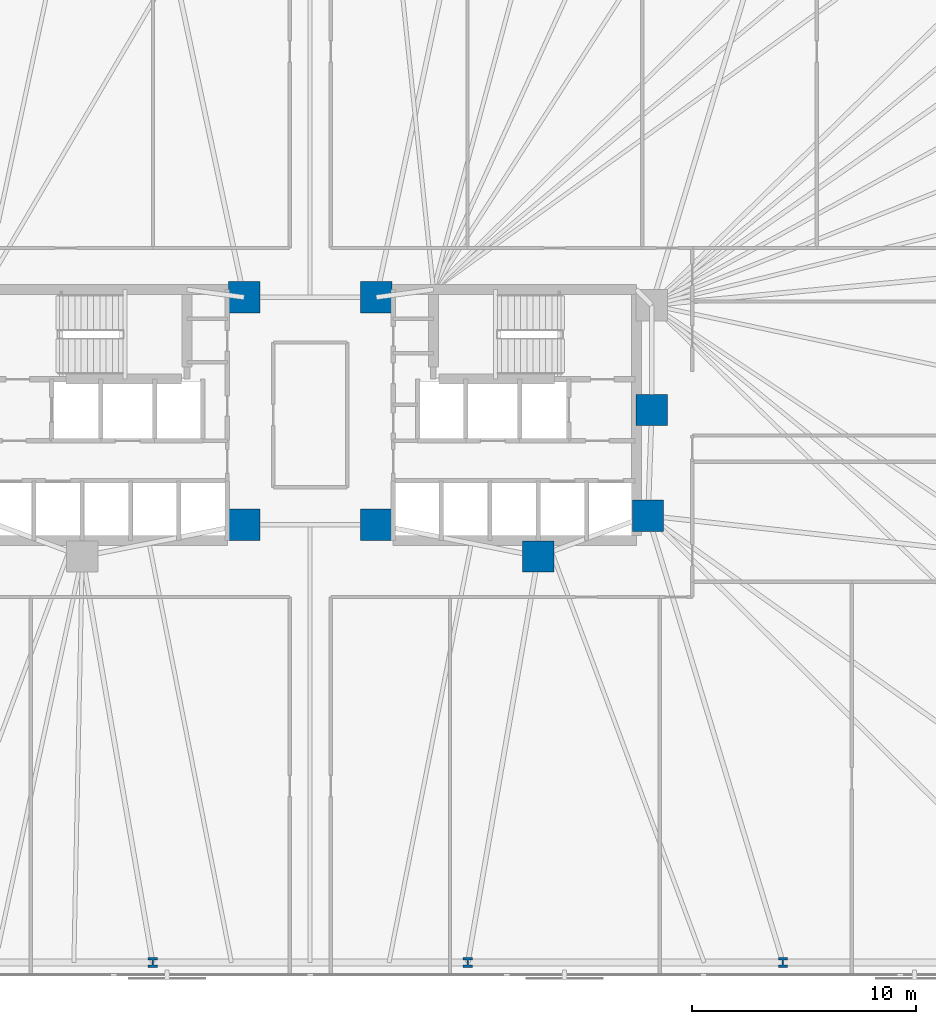
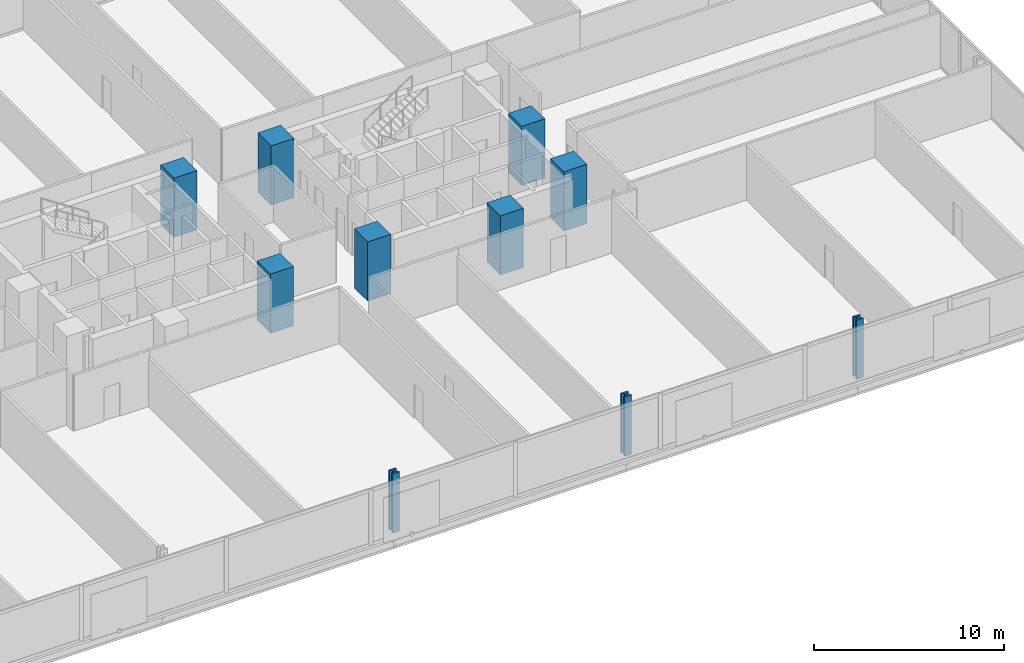
# One storey, part 3 of 17: 10 columns.
"""IFC4 building model written with IfcOpenShell, lengths in metres."""

import ifcopenshell
import ifcopenshell.guid

model = None  # the IFC model being written
_history = None  # IfcOwnerHistory: only IFC2X3 demands one
_inside = {}  # id of a spatial element -> (the spatial element, [elements in it])
_under = {}  # id of a project, library or spatial element -> (it, [spatial elements below it])
_declared = {}  # id of a project -> (the project, [libraries it declares])
_typed = {}  # id of a type object -> (the type object, [elements of that type])
_made_of = {}  # id of a material, layer set ... -> (it, [elements and type objects made of it])


def new_model(schema):
    """Start an empty IFC model of exactly this schema.

    Asked for "IFC4X3", IfcOpenShell would pick the latest addendum, in which some entities
    have other attributes; the version numbers below select the first issue.
    IFC2X3 requires an IfcOwnerHistory on every rooted entity: one is made here for all.
    """
    global model, _history
    if schema == "IFC4X3":
        model = ifcopenshell.file(schema_version=(4, 3, 0, 0))
    else:
        model = ifcopenshell.file(schema=schema)
    _inside.clear()
    _under.clear()
    _declared.clear()
    _typed.clear()
    _made_of.clear()
    _history = None
    if model.schema == "IFC2X3":
        org = make("IfcOrganization", Name="unknown")
        user = make(
            "IfcPersonAndOrganization",
            ThePerson=make("IfcPerson", FamilyName="unknown"),
            TheOrganization=org,
        )
        app = make(
            "IfcApplication",
            ApplicationDeveloper=org,
            Version="unknown",
            ApplicationFullName="unknown",
            ApplicationIdentifier="unknown",
        )
        _history = make(
            "IfcOwnerHistory",
            OwningUser=user,
            OwningApplication=app,
            ChangeAction="ADDED",
            CreationDate=0,
        )
    return model


def make(cls, **values):
    """One entity of the class cls with the attributes given. An attribute that is None is left unset."""
    return model.create_entity(
        cls, **{name: value for name, value in values.items() if value is not None}
    )


def rooted(cls, **values):
    """An entity with a GlobalId (a new one), such as an element, a storey or a relation."""
    return make(cls, GlobalId=ifcopenshell.guid.new(), OwnerHistory=_history, **values)


def si_unit(unit_type, name, prefix=None):
    """IfcSIUnit, for example si_unit("LENGTHUNIT", "METRE", prefix="MILLI")."""
    return make("IfcSIUnit", UnitType=unit_type, Prefix=prefix, Name=name)


def assignment(units):
    """IfcUnitAssignment: the units of a project."""
    return None if units is None else make("IfcUnitAssignment", Units=units)


def point(xyz):
    """IfcCartesianPoint."""
    return None if xyz is None else make("IfcCartesianPoint", Coordinates=xyz)


def direction(xyz):
    """IfcDirection."""
    return None if xyz is None else make("IfcDirection", DirectionRatios=xyz)


def frame(location, z_axis=None, x_axis=None):
    """IfcAxis2Placement3D, a coordinate frame: its origin and axes. An axis left out is left unset."""
    return make(
        "IfcAxis2Placement3D",
        Location=point(location),
        Axis=direction(z_axis),
        RefDirection=direction(x_axis),
    )


def frame_2d(location, x_axis=None):
    """IfcAxis2Placement2D, a coordinate frame in the plane: its origin and x axis."""
    return make(
        "IfcAxis2Placement2D", Location=point(location), RefDirection=direction(x_axis)
    )


def origin():
    """The frame at (0, 0, 0) with its axes left unset."""
    return frame((0.0, 0.0, 0.0))


def origin_2d():
    """The frame at (0, 0) in the plane with its x axis left unset."""
    return frame_2d((0.0, 0.0))


def place(relative_to, where):
    """IfcLocalPlacement: puts the frame where relative to a parent placement (None: the world)."""
    return make(
        "IfcLocalPlacement", PlacementRelTo=relative_to, RelativePlacement=where
    )


def context(
    kind, dimensions, precision=None, world=None, true_north=None, identifier=None
):
    """IfcGeometricRepresentationContext, for example the 3D "Model" context."""
    return make(
        "IfcGeometricRepresentationContext",
        ContextIdentifier=identifier,
        ContextType=kind,
        CoordinateSpaceDimension=dimensions,
        Precision=precision,
        WorldCoordinateSystem=world,
        TrueNorth=true_north,
    )


def subcontext(parent, identifier, kind, view, scale=None):
    """IfcGeometricRepresentationSubContext, for example "Body" below "Model"."""
    return make(
        "IfcGeometricRepresentationSubContext",
        ContextIdentifier=identifier,
        ContextType=kind,
        ParentContext=parent,
        TargetScale=scale,
        TargetView=view,
    )


def project(units=None, contexts=None):
    """IfcProject with its units and contexts."""
    return rooted(
        "IfcProject",
        Name="project",
        RepresentationContexts=contexts,
        UnitsInContext=assignment(units),
    )


def spatial(cls, under=None, at=None, **own):
    """A site, building, storey or space (cls), placed at a placement, below another one or the project."""
    s = rooted(cls, ObjectPlacement=at, **own)
    if under is not None:
        _under.setdefault(under.id(), (under, []))[1].append(s)
    return s


def profile(cls, at=None, kind="AREA", **sizes):
    """A parametric profile (cls). Its sizes go by their IFC names, for example OverallWidth=200.0."""
    return make(cls, ProfileType=kind, Position=at, **sizes)


def rectangle(**sizes):
    """IfcRectangleProfileDef."""
    return profile("IfcRectangleProfileDef", **sizes)


def i_section(**sizes):
    """IfcIShapeProfileDef."""
    return profile("IfcIShapeProfileDef", **sizes)


def extrude(swept, where, along, depth):
    """IfcExtrudedAreaSolid: the profile swept, set in the frame where, extruded along a direction by depth."""
    return make(
        "IfcExtrudedAreaSolid",
        SweptArea=swept,
        Position=where,
        ExtrudedDirection=direction(along),
        Depth=depth,
    )


def shape(context_of_items, identifier, shape_type, items):
    """IfcShapeRepresentation: the items that make up one representation, for example the "Body"."""
    return make(
        "IfcShapeRepresentation",
        ContextOfItems=context_of_items,
        RepresentationIdentifier=identifier,
        RepresentationType=shape_type,
        Items=items,
    )


def material(Name=None, Category=None):
    """IfcMaterial."""
    return make("IfcMaterial", Name=Name, Category=Category)


def material_profile(
    of_material, cross_section, Name=None, Category=None, Priority=None
):
    """IfcMaterialProfile: a cross section and its material."""
    return make(
        "IfcMaterialProfile",
        Name=Name,
        Material=of_material,
        Profile=cross_section,
        Priority=Priority,
        Category=Category,
    )


def profile_set(profiles, Name=None, composite=None):
    """IfcMaterialProfileSet."""
    return make(
        "IfcMaterialProfileSet",
        Name=Name,
        MaterialProfiles=profiles,
        CompositeProfile=composite,
    )


def made_of(thing, what):
    """Note that an element or type object is made of a material, layer set ...; save() writes the relation."""
    if what is not None:
        _made_of.setdefault(what.id(), (what, []))[1].append(thing)
    return thing


def type_object(cls, material=None, **own):
    """A type object (cls), such as IfcWallType, which elements share."""
    return made_of(rooted(cls, **own), material)


def element(
    cls,
    number,
    at=None,
    inside=None,
    cuts=None,
    type_object=None,
    material=None,
    context=None,
    identifier="Body",
    shape_type=None,
    held_by="IfcProductDefinitionShape",
    body=None,
    shapes=None,
    **own,
):
    """One element of the class cls, such as IfcWall. Its Tag is "e" and its number.

    at: its placement. inside: the storey or other place that contains it. cuts: it is an
    opening in that element (IfcRelVoidsElement). A single representation is given by context,
    identifier, shape_type and body (its items); several are given by shapes. held_by: the class
    of the entity that holds the representations. save() writes the other relations.
    """
    e = rooted(cls, Tag="e%d" % number, ObjectPlacement=at, **own)
    if body is not None:
        shapes = [shape(context, identifier, shape_type, body)]
    if shapes is not None:
        e.Representation = make(held_by, Representations=shapes)
    if inside is not None:
        _inside.setdefault(inside.id(), (inside, []))[1].append(e)
    if cuts is not None:
        rooted(
            "IfcRelVoidsElement", RelatingBuildingElement=cuts, RelatedOpeningElement=e
        )
    if type_object is not None:
        _typed.setdefault(type_object.id(), (type_object, []))[1].append(e)
    return made_of(e, material)


def aggregate(whole, parts):
    """IfcRelAggregates: a whole, such as a stair, and the parts it consists of."""
    return rooted("IfcRelAggregates", RelatingObject=whole, RelatedObjects=parts)


def save(model, path):
    """Write the relations noted so far, then the file.

    IfcRelAggregates (storeys below a building ...), IfcRelContainedInSpatialStructure (elements
    in a storey), IfcRelDefinesByType, IfcRelAssociatesMaterial and IfcRelDeclares: one each for
    every whole, place, type object, material and project.
    """
    for whole, parts in _under.values():
        aggregate(whole, parts)
    for where, things in _inside.values():
        rooted(
            "IfcRelContainedInSpatialStructure",
            RelatedElements=things,
            RelatingStructure=where,
        )
    for kind, things in _typed.values():
        rooted("IfcRelDefinesByType", RelatedObjects=things, RelatingType=kind)
    for what, things in _made_of.values():
        rooted("IfcRelAssociatesMaterial", RelatedObjects=things, RelatingMaterial=what)
    for by, libraries in _declared.values():
        rooted("IfcRelDeclares", RelatingContext=by, RelatedDefinitions=libraries)
    model.write(path)


model = new_model("IFC4")

# Units and contexts
model_context = context("Model", 3, precision=1e-05, world=origin(), true_north=direction((0.0, 1.0)))
body_context = subcontext(model_context, "Body", "Model", "MODEL_VIEW")
ifc_project = project(units=[si_unit("LENGTHUNIT", "METRE"), si_unit("AREAUNIT", "SQUARE_METRE"), si_unit("VOLUMEUNIT", "CUBIC_METRE"), si_unit("PLANEANGLEUNIT", "RADIAN"), si_unit("MASSUNIT", "GRAM", prefix="KILO")], contexts=[model_context])

# Site, building, storey
site_placement = place(None, origin())
site = spatial("IfcSite", under=ifc_project, at=site_placement, CompositionType="ELEMENT")
building_placement = place(site_placement, origin())
building = spatial("IfcBuilding", under=site, at=building_placement, Name="Menara Jurai Vektor", CompositionType="ELEMENT")
storey_placement = place(building_placement, frame((0.0, 0.0, 63.60009765625)))
storey = spatial("IfcBuildingStorey", under=building, at=storey_placement, Name="L15", CompositionType="ELEMENT", Elevation=63.60009765625)

# Columns
ifc_material_1 = material(Name="Concrete C60/75", Category="concrete")
ifc_material_profile_1 = material_profile(ifc_material_1, rectangle(XDim=1.39990234375, YDim=1.39990234375, at=origin_2d()), Name="RC 1400x1400")
ifc_profile_set_1 = profile_set([ifc_material_profile_1], Name="Concrete C60/75")
column_type_1 = type_object("IfcColumnType", Name="STR-COL-RC1400", PredefinedType="COLUMN", material=ifc_profile_set_1)
for number, where, z_axis, x_axis, name in (
    (1, (-2.949951171875, -4.89990234375, 0.0), (0.0, 0.0, 1.0), (1.0, 0.0, 0.0), "Core Spine Column CW-SE L15"),
    (2, (-2.949951171875, 5.25, 0.0), (0.0, 0.0, 1.0), (1.0, 0.0, 0.0), "Core Spine Column CW-NE L15"),
    (3, (15.25, 0.219970703125, 0.0), (0.0, 0.0, 1.0), (1.0, 0.0, 0.0), "Core Spine Column CE-EM L15"),
    (4, (15.080078125, -4.5, 0.0), (0.0, 0.0, 1.0), (1.0, 0.0, 0.0), "Core Spine Column CE-SE L15"),
    (5, (10.179931640625, -6.320068359375, 0.0), (0.0, 0.0, 1.0), (1.0, 0.0, 0.0), "Core Spine Column CE-SM L15"),
    (6, (2.949951171875, -4.89990234375, 0.0), (0.0, 0.0, 1.0), (1.0, 0.0, 0.0), "Core Spine Column CE-SW L15"),
    (7, (2.949951171875, 5.25, 0.0), (0.0, 0.0, 1.0), (1.0, 0.0, 0.0), "Core Spine Column CE-NW L15"),
):
    element("IfcColumn", number, at=place(storey_placement, frame(where, z_axis=z_axis, x_axis=x_axis)), inside=storey, type_object=column_type_1, Name=name, PredefinedType="COLUMN", context=body_context, shape_type="SweptSolid", body=[
        extrude(rectangle(XDim=1.39990234375, YDim=1.39990234375, at=origin_2d()), origin(), (0.0, 0.0, 1.0), 3.7998046875),
    ])
ifc_material_2 = material(Name="Steel S460", Category="steel")
ifc_material_profile_2 = material_profile(ifc_material_2, i_section(OverallWidth=0.419921875, OverallDepth=0.430908203125, WebThickness=0.06494140625, FlangeThickness=0.10595703125, FilletRadius=0.014892578125, at=origin_2d()), Name="HD 400x900")
ifc_profile_set_2 = profile_set([ifc_material_profile_2], Name="Steel S460")
column_type_2 = type_object("IfcColumnType", Name="STR-EXO-BLK1", PredefinedType="COLUMN", material=ifc_profile_set_2)
for number, where, z_axis, x_axis, name in (
    (8, (-7.03564453125, -24.449951171875, 0.0), (0.0, 0.0, 1.0), (1.0, 0.0, 0.0), "Exoskeleton Column BLK1-S3 L15"),
    (9, (7.03564453125, -24.449951171875, 0.0), (0.0, 0.0, 1.0), (1.0, 0.0, 0.0), "Exoskeleton Column BLK1-S4 L15"),
    (10, (21.106689453125, -24.449951171875, 0.0), (0.0, 0.0, 1.0), (1.0, 0.0, 0.0), "Exoskeleton Column BLK1-S5 L15"),
):
    element("IfcColumn", number, at=place(storey_placement, frame(where, z_axis=z_axis, x_axis=x_axis)), inside=storey, type_object=column_type_2, Name=name, PredefinedType="COLUMN", context=body_context, shape_type="SweptSolid", body=[
        extrude(i_section(OverallWidth=0.419921875, OverallDepth=0.430908203125, WebThickness=0.06494140625, FlangeThickness=0.10595703125, FilletRadius=0.014892578125, at=origin_2d()), origin(), (0.0, 0.0, 1.0), 3.7998046875),
    ])

save(model, "model.ifc")
